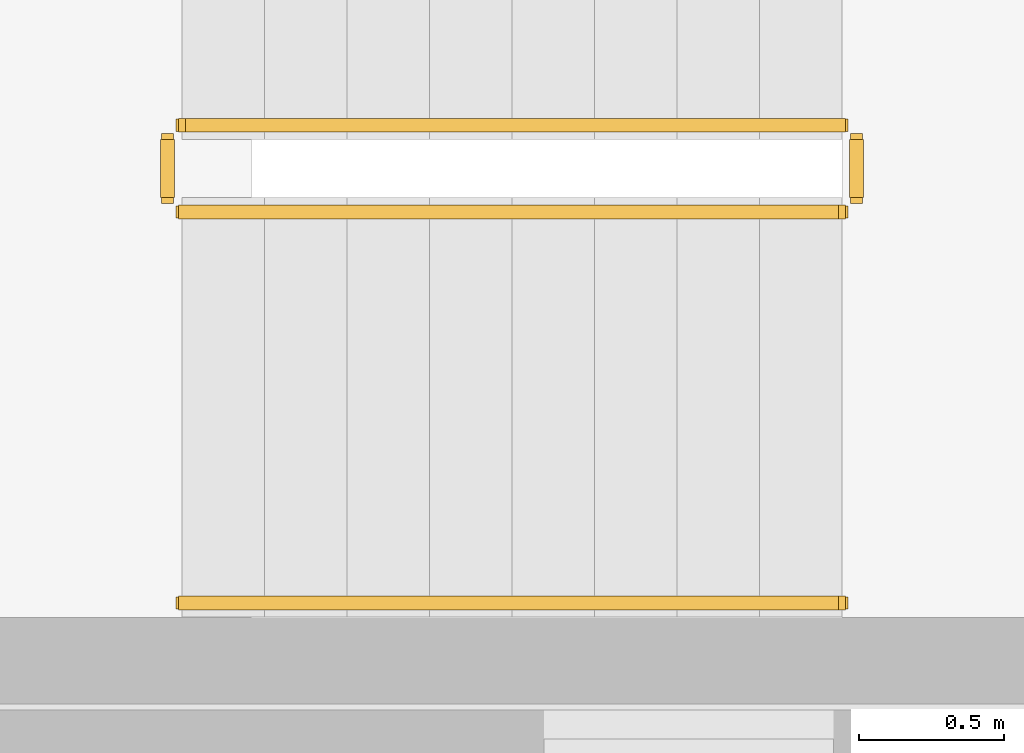
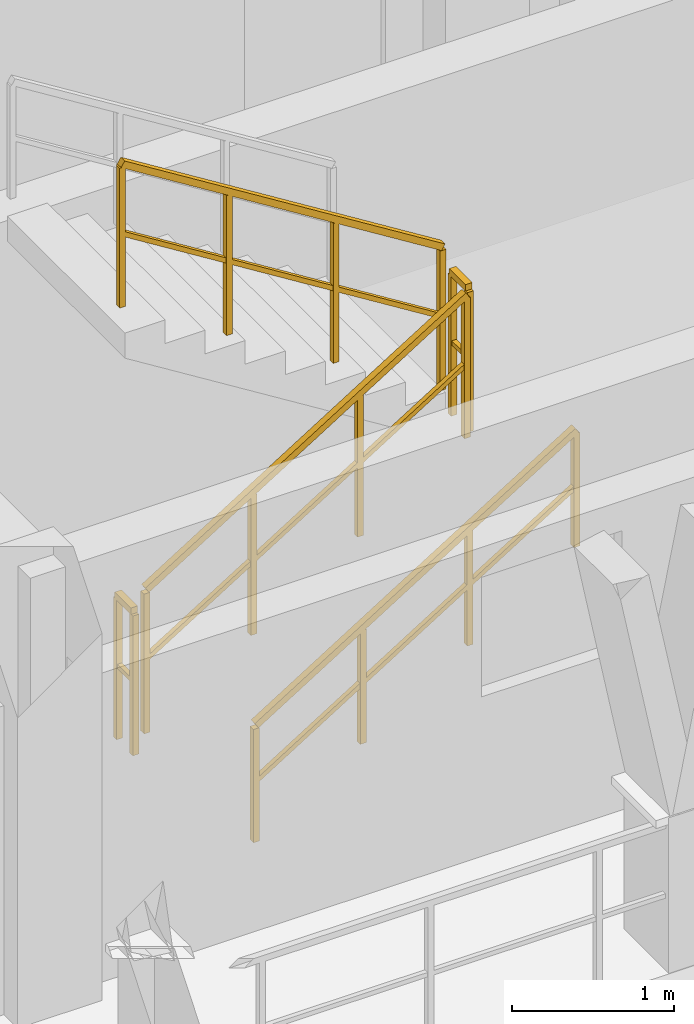
# One storey, part 59 of 67: 5 railings.
"""IFC4 building model written with IfcOpenShell, lengths in metres."""

from ifc_helpers import new_model, si_unit, direction, frame, origin, origin_2d, place, context, subcontext, project, spatial, rectangle, extrude, material, type_object, element, save


model = new_model("IFC4")

# Units and contexts
model_context = context("Model", 3, precision=1e-05, world=origin(), true_north=direction((0.0, 1.0)))
body_context = subcontext(model_context, "Body", "Model", "MODEL_VIEW")
ifc_project = project(units=[si_unit("LENGTHUNIT", "METRE"), si_unit("AREAUNIT", "SQUARE_METRE"), si_unit("VOLUMEUNIT", "CUBIC_METRE"), si_unit("PLANEANGLEUNIT", "RADIAN"), si_unit("MASSUNIT", "GRAM", prefix="KILO")], contexts=[model_context])

# Site, building, storey
site_placement = place(None, origin())
site = spatial("IfcSite", under=ifc_project, at=site_placement, CompositionType="ELEMENT")
building_placement = place(site_placement, origin())
building = spatial("IfcBuilding", under=site, at=building_placement, Name="Suanplinth Sawtooth Commons", CompositionType="ELEMENT")
storey_placement = place(building_placement, frame((0.0, 0.0, 25.10009765625)))
storey = spatial("IfcBuildingStorey", under=building, at=storey_placement, Name="L07", CompositionType="ELEMENT", Elevation=25.10009765625)

# Railings
ifc_material = material(Name="Stainless steel Grade 304", Category="steel")
railing_type_1 = type_object("IfcRailingType", Name="GR-04", PredefinedType="GUARDRAIL", material=ifc_material)
railing_1_placement = place(storey_placement, frame((59.449951171875, 109.85009765625, 0.177734375)))
element("IfcRailing", 1, at=railing_1_placement, inside=storey, type_object=railing_type_1, Name="L07 ST-N2 Guard 1", PredefinedType="GUARDRAIL", context=body_context, shape_type="SweptSolid", body=[
    extrude(rectangle(XDim=0.048095703125, YDim=0.048095703125, at=origin_2d()), frame((0.0, 0.0, 1.076171875), z_axis=(0.848482842525, 0.0, 0.529222888715), x_axis=(0.0, 1.0, 0.0)), (0.0, 0.0, 1.0), 2.687255859375),
    extrude(rectangle(XDim=0.03369140625, YDim=0.03369140625, at=origin_2d()), frame((0.0, 0.0, 0.550048828125), z_axis=(0.848482842525, 0.0, 0.529222888715), x_axis=(0.0, 1.0, 0.0)), (0.0, 0.0, 1.0), 2.687255859375),
    extrude(rectangle(XDim=0.0419921875, YDim=0.0419921875, at=origin_2d()), origin(), (0.0, 0.0, 1.0), 1.052001953125),
    extrude(rectangle(XDim=0.0419921875, YDim=0.0419921875, at=origin_2d()), frame((0.760009765625, 0.0, 0.47412109375)), (0.0, 0.0, 1.0), 1.052001953125),
    extrude(rectangle(XDim=0.0419921875, YDim=0.0419921875, at=origin_2d()), frame((1.52001953125, 0.0, 0.947998046875)), (0.0, 0.0, 1.0), 1.052001953125),
    extrude(rectangle(XDim=0.0419921875, YDim=0.0419921875, at=origin_2d()), frame((2.280029296875, 0.0, 1.422119140625)), (0.0, 0.0, 1.0), 1.052001953125),
])
railing_2_placement = place(storey_placement, frame((61.780029296875, 109.89990234375, 1.599853515625)))
element("IfcRailing", 2, at=railing_2_placement, inside=storey, type_object=railing_type_1, Name="L07 ST-N2 Guard 2", PredefinedType="GUARDRAIL", context=body_context, shape_type="SweptSolid", body=[
    extrude(rectangle(XDim=0.048095703125, YDim=0.048095703125, at=origin_2d()), frame((0.0, 0.0, 1.076171875), z_axis=(0.0, 1.0, 0.0), x_axis=(-1.0, 0.0, 0.0)), (0.0, 0.0, 1.0), 0.2001953125),
    extrude(rectangle(XDim=0.03369140625, YDim=0.03369140625, at=origin_2d()), frame((0.0, 0.0, 0.550048828125), z_axis=(0.0, 1.0, 0.0), x_axis=(-1.0, 0.0, 0.0)), (0.0, 0.0, 1.0), 0.2001953125),
    extrude(rectangle(XDim=0.0419921875, YDim=0.0419921875, at=origin_2d()), origin(), (0.0, 0.0, 1.0), 1.052001953125),
    extrude(rectangle(XDim=0.0419921875, YDim=0.0419921875, at=origin_2d()), frame((0.0, 0.2001953125, 0.0)), (0.0, 0.0, 1.0), 1.052001953125),
])
railing_3_placement = place(storey_placement, frame((61.72998046875, 110.14990234375, 1.777587890625)))
element("IfcRailing", 3, at=railing_3_placement, inside=storey, type_object=railing_type_1, Name="L07 ST-N2 Guard 3", PredefinedType="GUARDRAIL", context=body_context, shape_type="SweptSolid", body=[
    extrude(rectangle(XDim=0.048095703125, YDim=0.048095703125, at=origin_2d()), frame((0.0, 0.0, 1.076171875), z_axis=(-0.848442045328, 0.0, 0.529288291689), x_axis=(0.0, -1.0, 0.0)), (0.0, 0.0, 1.0), 2.687255859375),
    extrude(rectangle(XDim=0.03369140625, YDim=0.03369140625, at=origin_2d()), frame((0.0, 0.0, 0.550048828125), z_axis=(-0.848442045328, 0.0, 0.529288291689), x_axis=(0.0, -1.0, 0.0)), (0.0, 0.0, 1.0), 2.687255859375),
    extrude(rectangle(XDim=0.0419921875, YDim=0.0419921875, at=origin_2d()), origin(), (0.0, 0.0, 1.0), 1.052001953125),
    extrude(rectangle(XDim=0.0419921875, YDim=0.0419921875, at=origin_2d()), frame((-0.760009765625, 0.0, 0.47412109375)), (0.0, 0.0, 1.0), 1.052001953125),
    extrude(rectangle(XDim=0.0419921875, YDim=0.0419921875, at=origin_2d()), frame((-1.52001953125, 0.0, 0.9482421875)), (0.0, 0.0, 1.0), 1.052001953125),
    extrude(rectangle(XDim=0.0419921875, YDim=0.0419921875, at=origin_2d()), frame((-2.280029296875, 0.0, 1.42236328125)), (0.0, 0.0, 1.0), 1.052001953125),
])
railing_4_placement = place(storey_placement, frame((59.39990234375, 109.89990234375, 0.0)))
element("IfcRailing", 4, at=railing_4_placement, inside=storey, type_object=railing_type_1, Name="L07 ST-N2 Guard 4", PredefinedType="GUARDRAIL", context=body_context, shape_type="SweptSolid", body=[
    extrude(rectangle(XDim=0.048095703125, YDim=0.048095703125, at=origin_2d()), frame((0.0, 0.0, 1.076171875), z_axis=(0.0, 1.0, 0.0), x_axis=(-1.0, 0.0, 0.0)), (0.0, 0.0, 1.0), 0.2001953125),
    extrude(rectangle(XDim=0.03369140625, YDim=0.03369140625, at=origin_2d()), frame((0.0, 0.0, 0.550048828125), z_axis=(0.0, 1.0, 0.0), x_axis=(-1.0, 0.0, 0.0)), (0.0, 0.0, 1.0), 0.2001953125),
    extrude(rectangle(XDim=0.0419921875, YDim=0.0419921875, at=origin_2d()), origin(), (0.0, 0.0, 1.0), 1.052001953125),
    extrude(rectangle(XDim=0.0419921875, YDim=0.0419921875, at=origin_2d()), frame((0.0, 0.2001953125, 0.0)), (0.0, 0.0, 1.0), 1.052001953125),
])
railing_type_2 = type_object("IfcRailingType", Name="HR-01", PredefinedType="HANDRAIL", material=ifc_material)
railing_5_placement = place(storey_placement, frame((59.449951171875, 108.5, 0.177734375)))
element("IfcRailing", 5, at=railing_5_placement, inside=storey, type_object=railing_type_2, Name="L07 ST-N2 Handrail 1", PredefinedType="HANDRAIL", context=body_context, shape_type="SweptSolid", body=[
    extrude(rectangle(XDim=0.048095703125, YDim=0.048095703125, at=origin_2d()), frame((0.0, 0.0, 0.8759765625), z_axis=(0.848482842525, 0.0, 0.529222888715), x_axis=(0.0, 1.0, 0.0)), (0.0, 0.0, 1.0), 2.687255859375),
    extrude(rectangle(XDim=0.03369140625, YDim=0.03369140625, at=origin_2d()), frame((0.0, 0.0, 0.449951171875), z_axis=(0.848482842525, 0.0, 0.529222888715), x_axis=(0.0, 1.0, 0.0)), (0.0, 0.0, 1.0), 2.687255859375),
    extrude(rectangle(XDim=0.0419921875, YDim=0.0419921875, at=origin_2d()), origin(), (0.0, 0.0, 1.0), 0.851806640625),
    extrude(rectangle(XDim=0.0419921875, YDim=0.0419921875, at=origin_2d()), frame((0.760009765625, 0.0, 0.47412109375)), (0.0, 0.0, 1.0), 0.851806640625),
    extrude(rectangle(XDim=0.0419921875, YDim=0.0419921875, at=origin_2d()), frame((1.52001953125, 0.0, 0.947998046875)), (0.0, 0.0, 1.0), 0.851806640625),
    extrude(rectangle(XDim=0.0419921875, YDim=0.0419921875, at=origin_2d()), frame((2.280029296875, 0.0, 1.422119140625)), (0.0, 0.0, 1.0), 0.851806640625),
])

save(model, "model.ifc")
